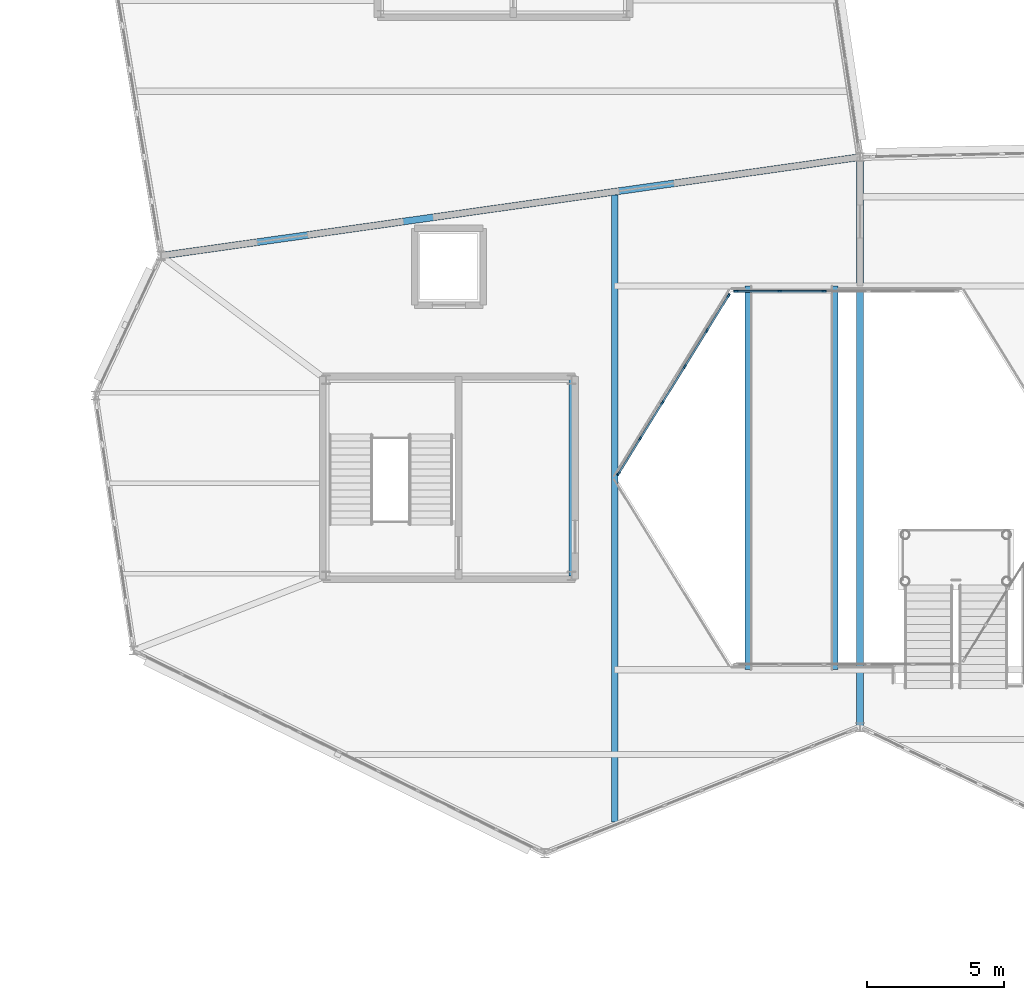
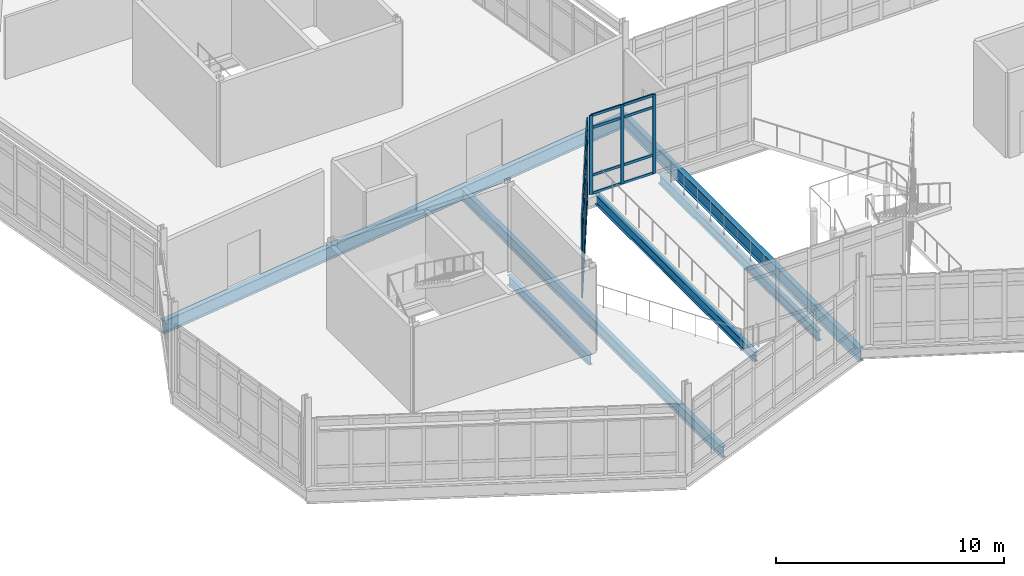
# One storey, part 23 of 76: 37 members, 6 beams, 2 elements without a shape of their own.
"""IFC4 building model written with IfcOpenShell, lengths in metres."""

from ifc_helpers import new_model, si_unit, direction, frame, origin, origin_2d, place, context, subcontext, project, spatial, rectangle, i_section, extrude, material, material_profile, profile_set, type_object, element, aggregate, save


model = new_model("IFC4")

# Units and contexts
model_context = context("Model", 3, precision=1e-05, world=origin(), true_north=direction((0.0, 1.0)))
body_context = subcontext(model_context, "Body", "Model", "MODEL_VIEW")
ifc_project = project(units=[si_unit("LENGTHUNIT", "METRE"), si_unit("AREAUNIT", "SQUARE_METRE"), si_unit("VOLUMEUNIT", "CUBIC_METRE"), si_unit("PLANEANGLEUNIT", "RADIAN"), si_unit("MASSUNIT", "GRAM", prefix="KILO")], contexts=[model_context])

# Site, building, storey
site_placement = place(None, origin())
site = spatial("IfcSite", under=ifc_project, at=site_placement, CompositionType="ELEMENT")
building_placement = place(site_placement, origin())
building = spatial("IfcBuilding", under=site, at=building_placement, Name="Tameran Prism Museum", CompositionType="ELEMENT")
storey_placement = place(building_placement, frame((0.0, 0.0, 15.0)))
storey = spatial("IfcBuildingStorey", under=building, at=storey_placement, Name="L03", CompositionType="ELEMENT", Elevation=15.0)

# Beams
ifc_material_1 = material(Name="Steel Grade 300PLUS (300 MPa)", Category="steel")
ifc_material_profile_1 = material_profile(ifc_material_1, i_section(OverallWidth=0.208984375, OverallDepth=0.532958984375, WebThickness=0.01025390625, FlangeThickness=0.015625, FilletRadius=0.013916015625, at=origin_2d()))
ifc_profile_set_1 = profile_set([ifc_material_profile_1])
beam_type_1 = type_object("IfcBeamType", Name="BM-SP530A", PredefinedType="SPANDREL", material=ifc_profile_set_1)
for number, where, z_axis, x_axis, name in (
    (1, (73.39990234375, 29.5, -0.5), (0.0, 1.0, 0.0), (-1.0, 0.0, 0.0), "Atrium Bridge Girder BG-1454"),
    (2, (76.60009765625, 29.5, -0.5), (0.0, 1.0, 0.0), (-1.0, 0.0, 0.0), "Atrium Bridge Girder BG-1455"),
):
    element("IfcBeam", number, at=place(storey_placement, frame(where, z_axis=z_axis, x_axis=x_axis)), inside=storey, type_object=beam_type_1, Name=name, PredefinedType="SPANDREL", context=body_context, shape_type="SweptSolid", body=[
        extrude(i_section(OverallWidth=0.208984375, OverallDepth=0.532958984375, WebThickness=0.01025390625, FlangeThickness=0.015625, FilletRadius=0.013916015625, at=origin_2d()), origin(), (0.0, 0.0, 1.0), 14.0),
    ])
ifc_material_2 = material(Name="Steel Grade 300PLUS (300 MPa)", Category="steel")
ifc_material_profile_2 = material_profile(ifc_material_2, i_section(OverallWidth=0.208984375, OverallDepth=0.528076171875, WebThickness=0.009521484375, FlangeThickness=0.01318359375, FilletRadius=0.013916015625, at=origin_2d()))
ifc_profile_set_2 = profile_set([ifc_material_profile_2])
beam_type_2 = type_object("IfcBeamType", Name="BM-SP530B", PredefinedType="SPANDREL", material=ifc_profile_set_2)
beam_1_placement = place(storey_placement, frame((66.97998046875, 32.919921875, -0.50390625), z_axis=(0.0, 1.0, 0.0), x_axis=(-1.0, 0.0, 0.0)))
element("IfcBeam", 3, at=beam_1_placement, inside=storey, type_object=beam_type_2, Name="Core Ring Beam CTB-1027", PredefinedType="SPANDREL", context=body_context, shape_type="SweptSolid", body=[
    extrude(i_section(OverallWidth=0.208984375, OverallDepth=0.528076171875, WebThickness=0.009521484375, FlangeThickness=0.01318359375, FilletRadius=0.013916015625, at=origin_2d()), origin(), (0.0, 0.0, 1.0), 7.16015625),
])
ifc_material_3 = material(Name="Steel Grade 350 (350 MPa)", Category="steel")
ifc_material_profile_3 = material_profile(ifc_material_3, i_section(OverallWidth=0.25, OverallDepth=0.699951171875, WebThickness=0.010009765625, FlangeThickness=0.02001953125, at=origin_2d()))
ifc_profile_set_3 = profile_set([ifc_material_profile_3])
beam_type_3 = type_object("IfcBeamType", Name="BM-SP700", PredefinedType="SPANDREL", material=ifc_profile_set_3)
beam_2_placement = place(storey_placement, frame((77.5, 27.39990234375, -0.550048828125), z_axis=(0.0, 1.0, 0.0), x_axis=(-1.0, 0.0, 0.0)))
element("IfcBeam", 4, at=beam_2_placement, inside=storey, type_object=beam_type_3, Name="Perimeter Spandrel SP-0958", PredefinedType="SPANDREL", context=body_context, shape_type="SweptSolid", body=[
    extrude(i_section(OverallWidth=0.25, OverallDepth=0.699951171875, WebThickness=0.010009765625, FlangeThickness=0.02001953125, at=origin_2d()), origin(), (0.0, 0.0, 1.0), 20.800048828125),
])
beam_3_placement = place(storey_placement, frame((77.5, 48.199951171875, -0.550048828125), z_axis=(-0.990181921375, -0.139784700815, 0.0), x_axis=(0.139784700815, -0.990181921375, 0.0)))
element("IfcBeam", 5, at=beam_3_placement, inside=storey, type_object=beam_type_3, Name="Perimeter Spandrel SP-0959", PredefinedType="SPANDREL", context=body_context, shape_type="SweptSolid", body=[
    extrude(i_section(OverallWidth=0.25, OverallDepth=0.699951171875, WebThickness=0.010009765625, FlangeThickness=0.02001953125, at=origin_2d()), origin(), (0.0, 0.0, 1.0), 25.7529296875),
])
ifc_material_4 = material(Name="Steel Grade 300PLUS (300 MPa)", Category="steel")
ifc_material_profile_4 = material_profile(ifc_material_4, i_section(OverallWidth=0.22900390625, OverallDepth=0.612060546875, WebThickness=0.011962890625, FlangeThickness=0.01953125, FilletRadius=0.013916015625, at=origin_2d()))
ifc_profile_set_4 = profile_set([ifc_material_profile_4])
beam_type_4 = type_object("IfcBeamType", Name="BM-UB610A", PredefinedType="BEAM", material=ifc_profile_set_4)
beam_4_placement = place(storey_placement, frame((68.550048828125, 23.93798828125, -0.5458984375), z_axis=(0.0, 1.0, 0.0), x_axis=(-1.0, 0.0, 0.0)))
element("IfcBeam", 6, at=beam_4_placement, inside=storey, type_object=beam_type_4, Name="Atrium Opening Trimmer Girder AT-1048", PredefinedType="BEAM", context=body_context, shape_type="SweptSolid", body=[
    extrude(i_section(OverallWidth=0.22900390625, OverallDepth=0.612060546875, WebThickness=0.011962890625, FlangeThickness=0.01953125, FilletRadius=0.013916015625, at=origin_2d()), origin(), (0.0, 0.0, 1.0), 22.886962890625),
])

# Curtain wall, members
ifc_material_5 = material(Name="Anodised Aluminium 6063-T6 and Cyclone Solar Glass", Category="aluminium")
curtain_wall_type_1 = type_object("IfcCurtainWallType", Name="CW-ATR-810x424", PredefinedType="USERDEFINED", material=ifc_material_5)
curtain_wall_1_placement = place(storey_placement, origin())
curtain_wall_1 = element("IfcCurtainWall", 7, at=curtain_wall_1_placement, inside=storey, type_object=curtain_wall_type_1, Name="Unitised Curtain Wall CW-013", ObjectType="UNITISED CURTAIN WALL", PredefinedType="USERDEFINED")
ifc_material_6 = material(Name="Anodised Aluminium Alloy 6063-T6", Category="aluminium")
ifc_material_profile_5 = material_profile(ifc_material_6, rectangle(XDim=0.06494140625, YDim=0.159912109375, at=origin_2d()))
ifc_profile_set_5 = profile_set([ifc_material_profile_5])
member_type_1 = type_object("IfcMemberType", Name="CW-MUL-A", PredefinedType="MULLION", material=ifc_profile_set_5)
member_1_placement = place(storey_placement, frame((76.18994140625, 43.300048828125, 0.0), z_axis=(0.0, 0.0, 1.0), x_axis=(0.0, -1.0, 0.0)))
member_1 = element("IfcMember", 8, at=member_1_placement, type_object=member_type_1, Name="CW-013 mullion 4", PredefinedType="MULLION", context=body_context, shape_type="SweptSolid", body=[
    extrude(rectangle(XDim=0.06494140625, YDim=0.159912109375, at=origin_2d()), origin(), (0.0, 0.0, 1.0), 4.239990234375),
])
member_2_placement = place(storey_placement, frame((74.570068359375, 43.300048828125, 0.0), z_axis=(0.0, 0.0, 1.0), x_axis=(0.0, -1.0, 0.0)))
member_2 = element("IfcMember", 9, at=member_2_placement, type_object=member_type_1, Name="CW-013 mullion 5", PredefinedType="MULLION", context=body_context, shape_type="SweptSolid", body=[
    extrude(rectangle(XDim=0.06494140625, YDim=0.159912109375, at=origin_2d()), origin(), (0.0, 0.0, 1.0), 4.239990234375),
])
member_3_placement = place(storey_placement, frame((72.982421875, 43.300048828125, 0.0), z_axis=(0.0, 0.0, 1.0), x_axis=(0.0, -1.0, 0.0)))
member_3 = element("IfcMember", 10, at=member_3_placement, type_object=member_type_1, Name="CW-013 mullion 6", PredefinedType="MULLION", context=body_context, shape_type="SweptSolid", body=[
    extrude(rectangle(XDim=0.06494140625, YDim=0.159912109375, at=origin_2d()), origin(), (0.0, 0.0, 1.0), 4.239990234375),
])

ifc_material_7 = material(Name="Anodised Aluminium 6063-T6 and Cyclone Solar Glass", Category="aluminium")
curtain_wall_type_2 = type_object("IfcCurtainWallType", Name="CW-ATR-769x424", PredefinedType="USERDEFINED", material=ifc_material_7)
curtain_wall_2_placement = place(storey_placement, origin())
curtain_wall_2 = element("IfcCurtainWall", 11, at=curtain_wall_2_placement, inside=storey, type_object=curtain_wall_type_2, Name="Unitised Curtain Wall CW-014", ObjectType="UNITISED CURTAIN WALL", PredefinedType="USERDEFINED")
member_4_placement = place(storey_placement, frame((72.703857421875, 43.144287109375, 0.0), z_axis=(0.0, 0.0, 1.0), x_axis=(0.850791158897, -0.525503952357, 0.0)))
member_4 = element("IfcMember", 12, at=member_4_placement, type_object=member_type_1, Name="CW-014 mullion 1", PredefinedType="MULLION", context=body_context, shape_type="SweptSolid", body=[
    extrude(rectangle(XDim=0.06494140625, YDim=0.159912109375, at=origin_2d()), origin(), (0.0, 0.0, 1.0), 4.239990234375),
])
member_5_placement = place(storey_placement, frame((71.91259765625, 41.86328125, 0.0), z_axis=(0.0, 0.0, 1.0), x_axis=(0.850791158897, -0.525503952357, 0.0)))
member_5 = element("IfcMember", 13, at=member_5_placement, type_object=member_type_1, Name="CW-014 mullion 2", PredefinedType="MULLION", context=body_context, shape_type="SweptSolid", body=[
    extrude(rectangle(XDim=0.06494140625, YDim=0.159912109375, at=origin_2d()), origin(), (0.0, 0.0, 1.0), 4.239990234375),
])
member_6_placement = place(storey_placement, frame((71.104248046875, 40.554443359375, 0.0), z_axis=(0.0, 0.0, 1.0), x_axis=(0.850791158897, -0.525503952357, 0.0)))
member_6 = element("IfcMember", 14, at=member_6_placement, type_object=member_type_1, Name="CW-014 mullion 3", PredefinedType="MULLION", context=body_context, shape_type="SweptSolid", body=[
    extrude(rectangle(XDim=0.06494140625, YDim=0.159912109375, at=origin_2d()), origin(), (0.0, 0.0, 1.0), 4.239990234375),
])
member_7_placement = place(storey_placement, frame((70.2958984375, 39.24560546875, 0.0), z_axis=(0.0, 0.0, 1.0), x_axis=(0.850791158897, -0.525503952357, 0.0)))
member_7 = element("IfcMember", 15, at=member_7_placement, type_object=member_type_1, Name="CW-014 mullion 4", PredefinedType="MULLION", context=body_context, shape_type="SweptSolid", body=[
    extrude(rectangle(XDim=0.06494140625, YDim=0.159912109375, at=origin_2d()), origin(), (0.0, 0.0, 1.0), 4.239990234375),
])
member_8_placement = place(storey_placement, frame((69.4873046875, 37.936767578125, 0.0), z_axis=(0.0, 0.0, 1.0), x_axis=(0.850791158897, -0.525503952357, 0.0)))
member_8 = element("IfcMember", 16, at=member_8_placement, type_object=member_type_1, Name="CW-014 mullion 5", PredefinedType="MULLION", context=body_context, shape_type="SweptSolid", body=[
    extrude(rectangle(XDim=0.06494140625, YDim=0.159912109375, at=origin_2d()), origin(), (0.0, 0.0, 1.0), 4.239990234375),
])
member_9_placement = place(storey_placement, frame((68.696044921875, 36.65576171875, 0.0), z_axis=(0.0, 0.0, 1.0), x_axis=(0.850791158897, -0.525503952357, 0.0)))
member_9 = element("IfcMember", 17, at=member_9_placement, type_object=member_type_1, Name="CW-014 mullion 6", PredefinedType="MULLION", context=body_context, shape_type="SweptSolid", body=[
    extrude(rectangle(XDim=0.06494140625, YDim=0.159912109375, at=origin_2d()), origin(), (0.0, 0.0, 1.0), 4.239990234375),
])

# Member
ifc_material_8 = material(Name="Anodised Aluminium Alloy 6063-T6", Category="aluminium")
ifc_material_profile_6 = material_profile(ifc_material_8, rectangle(XDim=0.06494140625, YDim=0.139892578125, at=origin_2d()))
ifc_profile_set_6 = profile_set([ifc_material_profile_6])
member_type_2 = type_object("IfcMemberType", Name="CW-TRN-A", PredefinedType="USERDEFINED", material=ifc_profile_set_6)
member_10_placement = place(storey_placement, frame((76.157470703125, 43.300048828125, 0.032470703125), z_axis=(-1.0, 0.0, 0.0), x_axis=(0.0, -1.0, 0.0)))
member_10 = element("IfcMember", 18, at=member_10_placement, type_object=member_type_2, Name="CW-013 transom 4.1", ObjectType="TRANSOM", PredefinedType="USERDEFINED", context=body_context, shape_type="SweptSolid", body=[
    extrude(rectangle(XDim=0.06494140625, YDim=0.139892578125, at=origin_2d()), origin(), (0.0, 0.0, 1.0), 1.554931640625),
])

member_11_placement = place(storey_placement, frame((76.157470703125, 43.300048828125, 1.0), z_axis=(-1.0, 0.0, 0.0), x_axis=(0.0, -1.0, 0.0)))
member_11 = element("IfcMember", 19, at=member_11_placement, type_object=member_type_2, Name="CW-013 transom 4.2", ObjectType="TRANSOM", PredefinedType="USERDEFINED", context=body_context, shape_type="SweptSolid", body=[
    extrude(rectangle(XDim=0.06494140625, YDim=0.139892578125, at=origin_2d()), origin(), (0.0, 0.0, 1.0), 1.554931640625),
])

member_12_placement = place(storey_placement, frame((76.157470703125, 43.300048828125, 3.56005859375), z_axis=(-1.0, 0.0, 0.0), x_axis=(0.0, -1.0, 0.0)))
member_12 = element("IfcMember", 20, at=member_12_placement, type_object=member_type_2, Name="CW-013 transom 4.3", ObjectType="TRANSOM", PredefinedType="USERDEFINED", context=body_context, shape_type="SweptSolid", body=[
    extrude(rectangle(XDim=0.06494140625, YDim=0.139892578125, at=origin_2d()), origin(), (0.0, 0.0, 1.0), 1.554931640625),
])

member_13_placement = place(storey_placement, frame((76.157470703125, 43.300048828125, 4.20751953125), z_axis=(-1.0, 0.0, 0.0), x_axis=(0.0, -1.0, 0.0)))
member_13 = element("IfcMember", 21, at=member_13_placement, type_object=member_type_2, Name="CW-013 transom 4.4", ObjectType="TRANSOM", PredefinedType="USERDEFINED", context=body_context, shape_type="SweptSolid", body=[
    extrude(rectangle(XDim=0.06494140625, YDim=0.139892578125, at=origin_2d()), origin(), (0.0, 0.0, 1.0), 1.554931640625),
])

member_14_placement = place(storey_placement, frame((74.53759765625, 43.300048828125, 0.032470703125), z_axis=(-1.0, 0.0, 0.0), x_axis=(0.0, -1.0, 0.0)))
member_14 = element("IfcMember", 22, at=member_14_placement, type_object=member_type_2, Name="CW-013 transom 5.1", ObjectType="TRANSOM", PredefinedType="USERDEFINED", context=body_context, shape_type="SweptSolid", body=[
    extrude(rectangle(XDim=0.06494140625, YDim=0.139892578125, at=origin_2d()), origin(), (0.0, 0.0, 1.0), 1.522705078125),
])

member_15_placement = place(storey_placement, frame((74.53759765625, 43.300048828125, 1.0), z_axis=(-1.0, 0.0, 0.0), x_axis=(0.0, -1.0, 0.0)))
member_15 = element("IfcMember", 23, at=member_15_placement, type_object=member_type_2, Name="CW-013 transom 5.2", ObjectType="TRANSOM", PredefinedType="USERDEFINED", context=body_context, shape_type="SweptSolid", body=[
    extrude(rectangle(XDim=0.06494140625, YDim=0.139892578125, at=origin_2d()), origin(), (0.0, 0.0, 1.0), 1.522705078125),
])

member_16_placement = place(storey_placement, frame((74.53759765625, 43.300048828125, 3.56005859375), z_axis=(-1.0, 0.0, 0.0), x_axis=(0.0, -1.0, 0.0)))
member_16 = element("IfcMember", 24, at=member_16_placement, type_object=member_type_2, Name="CW-013 transom 5.3", ObjectType="TRANSOM", PredefinedType="USERDEFINED", context=body_context, shape_type="SweptSolid", body=[
    extrude(rectangle(XDim=0.06494140625, YDim=0.139892578125, at=origin_2d()), origin(), (0.0, 0.0, 1.0), 1.522705078125),
])

member_17_placement = place(storey_placement, frame((74.53759765625, 43.300048828125, 4.20751953125), z_axis=(-1.0, 0.0, 0.0), x_axis=(0.0, -1.0, 0.0)))
member_17 = element("IfcMember", 25, at=member_17_placement, type_object=member_type_2, Name="CW-013 transom 5.4", ObjectType="TRANSOM", PredefinedType="USERDEFINED", context=body_context, shape_type="SweptSolid", body=[
    extrude(rectangle(XDim=0.06494140625, YDim=0.139892578125, at=origin_2d()), origin(), (0.0, 0.0, 1.0), 1.522705078125),
])

aggregate(curtain_wall_1, [member_1, member_2, member_3, member_10, member_11, member_12, member_13, member_14, member_15, member_16, member_17])

member_18_placement = place(storey_placement, frame((72.686767578125, 43.11669921875, 0.032470703125), z_axis=(-0.525467627301, -0.850813594543, 0.0), x_axis=(0.850813594543, -0.525467627301, 0.0)))
member_18 = element("IfcMember", 26, at=member_18_placement, type_object=member_type_2, Name="CW-014 transom 1.1", ObjectType="TRANSOM", PredefinedType="USERDEFINED", context=body_context, shape_type="SweptSolid", body=[
    extrude(rectangle(XDim=0.06494140625, YDim=0.139892578125, at=origin_2d()), origin(), (0.0, 0.0, 1.0), 1.440673828125),
])

member_19_placement = place(storey_placement, frame((72.686767578125, 43.11669921875, 1.0), z_axis=(-0.525467627301, -0.850813594543, 0.0), x_axis=(0.850813594543, -0.525467627301, 0.0)))
member_19 = element("IfcMember", 27, at=member_19_placement, type_object=member_type_2, Name="CW-014 transom 1.2", ObjectType="TRANSOM", PredefinedType="USERDEFINED", context=body_context, shape_type="SweptSolid", body=[
    extrude(rectangle(XDim=0.06494140625, YDim=0.139892578125, at=origin_2d()), origin(), (0.0, 0.0, 1.0), 1.440673828125),
])

member_20_placement = place(storey_placement, frame((72.686767578125, 43.11669921875, 3.56005859375), z_axis=(-0.525467627301, -0.850813594543, 0.0), x_axis=(0.850813594543, -0.525467627301, 0.0)))
member_20 = element("IfcMember", 28, at=member_20_placement, type_object=member_type_2, Name="CW-014 transom 1.3", ObjectType="TRANSOM", PredefinedType="USERDEFINED", context=body_context, shape_type="SweptSolid", body=[
    extrude(rectangle(XDim=0.06494140625, YDim=0.139892578125, at=origin_2d()), origin(), (0.0, 0.0, 1.0), 1.440673828125),
])

member_21_placement = place(storey_placement, frame((72.686767578125, 43.11669921875, 4.20751953125), z_axis=(-0.525467627301, -0.850813594543, 0.0), x_axis=(0.850813594543, -0.525467627301, 0.0)))
member_21 = element("IfcMember", 29, at=member_21_placement, type_object=member_type_2, Name="CW-014 transom 1.4", ObjectType="TRANSOM", PredefinedType="USERDEFINED", context=body_context, shape_type="SweptSolid", body=[
    extrude(rectangle(XDim=0.06494140625, YDim=0.139892578125, at=origin_2d()), origin(), (0.0, 0.0, 1.0), 1.440673828125),
])

member_22_placement = place(storey_placement, frame((71.8955078125, 41.83544921875, 0.032470703125), z_axis=(-0.525492880722, -0.850797997359, 0.0), x_axis=(0.850797997359, -0.525492880722, 0.0)))
member_22 = element("IfcMember", 30, at=member_22_placement, type_object=member_type_2, Name="CW-014 transom 2.1", ObjectType="TRANSOM", PredefinedType="USERDEFINED", context=body_context, shape_type="SweptSolid", body=[
    extrude(rectangle(XDim=0.06494140625, YDim=0.139892578125, at=origin_2d()), origin(), (0.0, 0.0, 1.0), 1.47314453125),
])

member_23_placement = place(storey_placement, frame((71.8955078125, 41.83544921875, 1.0), z_axis=(-0.525492880722, -0.850797997359, 0.0), x_axis=(0.850797997359, -0.525492880722, 0.0)))
member_23 = element("IfcMember", 31, at=member_23_placement, type_object=member_type_2, Name="CW-014 transom 2.2", ObjectType="TRANSOM", PredefinedType="USERDEFINED", context=body_context, shape_type="SweptSolid", body=[
    extrude(rectangle(XDim=0.06494140625, YDim=0.139892578125, at=origin_2d()), origin(), (0.0, 0.0, 1.0), 1.47314453125),
])

member_24_placement = place(storey_placement, frame((71.8955078125, 41.83544921875, 3.56005859375), z_axis=(-0.525492880722, -0.850797997359, 0.0), x_axis=(0.850797997359, -0.525492880722, 0.0)))
member_24 = element("IfcMember", 32, at=member_24_placement, type_object=member_type_2, Name="CW-014 transom 2.3", ObjectType="TRANSOM", PredefinedType="USERDEFINED", context=body_context, shape_type="SweptSolid", body=[
    extrude(rectangle(XDim=0.06494140625, YDim=0.139892578125, at=origin_2d()), origin(), (0.0, 0.0, 1.0), 1.47314453125),
])

member_25_placement = place(storey_placement, frame((71.8955078125, 41.83544921875, 4.20751953125), z_axis=(-0.525492880722, -0.850797997359, 0.0), x_axis=(0.850797997359, -0.525492880722, 0.0)))
member_25 = element("IfcMember", 33, at=member_25_placement, type_object=member_type_2, Name="CW-014 transom 2.4", ObjectType="TRANSOM", PredefinedType="USERDEFINED", context=body_context, shape_type="SweptSolid", body=[
    extrude(rectangle(XDim=0.06494140625, YDim=0.139892578125, at=origin_2d()), origin(), (0.0, 0.0, 1.0), 1.47314453125),
])

member_26_placement = place(storey_placement, frame((71.087158203125, 40.52685546875, 0.032470703125), z_axis=(-0.525418798442, -0.850843749606, 0.0), x_axis=(0.850843749606, -0.525418798442, 0.0)))
member_26 = element("IfcMember", 34, at=member_26_placement, type_object=member_type_2, Name="CW-014 transom 3.1", ObjectType="TRANSOM", PredefinedType="USERDEFINED", context=body_context, shape_type="SweptSolid", body=[
    extrude(rectangle(XDim=0.06494140625, YDim=0.139892578125, at=origin_2d()), origin(), (0.0, 0.0, 1.0), 1.473388671875),
])

member_27_placement = place(storey_placement, frame((71.087158203125, 40.52685546875, 1.0), z_axis=(-0.525418798442, -0.850843749606, 0.0), x_axis=(0.850843749606, -0.525418798442, 0.0)))
member_27 = element("IfcMember", 35, at=member_27_placement, type_object=member_type_2, Name="CW-014 transom 3.2", ObjectType="TRANSOM", PredefinedType="USERDEFINED", context=body_context, shape_type="SweptSolid", body=[
    extrude(rectangle(XDim=0.06494140625, YDim=0.139892578125, at=origin_2d()), origin(), (0.0, 0.0, 1.0), 1.473388671875),
])

member_28_placement = place(storey_placement, frame((71.087158203125, 40.52685546875, 3.56005859375), z_axis=(-0.525418798442, -0.850843749606, 0.0), x_axis=(0.850843749606, -0.525418798442, 0.0)))
member_28 = element("IfcMember", 36, at=member_28_placement, type_object=member_type_2, Name="CW-014 transom 3.3", ObjectType="TRANSOM", PredefinedType="USERDEFINED", context=body_context, shape_type="SweptSolid", body=[
    extrude(rectangle(XDim=0.06494140625, YDim=0.139892578125, at=origin_2d()), origin(), (0.0, 0.0, 1.0), 1.473388671875),
])

member_29_placement = place(storey_placement, frame((71.087158203125, 40.52685546875, 4.20751953125), z_axis=(-0.525418798442, -0.850843749606, 0.0), x_axis=(0.850843749606, -0.525418798442, 0.0)))
member_29 = element("IfcMember", 37, at=member_29_placement, type_object=member_type_2, Name="CW-014 transom 3.4", ObjectType="TRANSOM", PredefinedType="USERDEFINED", context=body_context, shape_type="SweptSolid", body=[
    extrude(rectangle(XDim=0.06494140625, YDim=0.139892578125, at=origin_2d()), origin(), (0.0, 0.0, 1.0), 1.473388671875),
])

member_30_placement = place(storey_placement, frame((70.27880859375, 39.218017578125, 0.032470703125), z_axis=(-0.525538735192, -0.850769673774, 0.0), x_axis=(0.850769673774, -0.525538735192, 0.0)))
member_30 = element("IfcMember", 38, at=member_30_placement, type_object=member_type_2, Name="CW-014 transom 4.1", ObjectType="TRANSOM", PredefinedType="USERDEFINED", context=body_context, shape_type="SweptSolid", body=[
    extrude(rectangle(XDim=0.06494140625, YDim=0.139892578125, at=origin_2d()), origin(), (0.0, 0.0, 1.0), 1.4736328125),
])

member_31_placement = place(storey_placement, frame((70.27880859375, 39.218017578125, 1.0), z_axis=(-0.525538735192, -0.850769673774, 0.0), x_axis=(0.850769673774, -0.525538735192, 0.0)))
member_31 = element("IfcMember", 39, at=member_31_placement, type_object=member_type_2, Name="CW-014 transom 4.2", ObjectType="TRANSOM", PredefinedType="USERDEFINED", context=body_context, shape_type="SweptSolid", body=[
    extrude(rectangle(XDim=0.06494140625, YDim=0.139892578125, at=origin_2d()), origin(), (0.0, 0.0, 1.0), 1.4736328125),
])

member_32_placement = place(storey_placement, frame((70.27880859375, 39.218017578125, 3.56005859375), z_axis=(-0.525538735192, -0.850769673774, 0.0), x_axis=(0.850769673774, -0.525538735192, 0.0)))
member_32 = element("IfcMember", 40, at=member_32_placement, type_object=member_type_2, Name="CW-014 transom 4.3", ObjectType="TRANSOM", PredefinedType="USERDEFINED", context=body_context, shape_type="SweptSolid", body=[
    extrude(rectangle(XDim=0.06494140625, YDim=0.139892578125, at=origin_2d()), origin(), (0.0, 0.0, 1.0), 1.4736328125),
])

member_33_placement = place(storey_placement, frame((70.27880859375, 39.218017578125, 4.20751953125), z_axis=(-0.525538735192, -0.850769673774, 0.0), x_axis=(0.850769673774, -0.525538735192, 0.0)))
member_33 = element("IfcMember", 41, at=member_33_placement, type_object=member_type_2, Name="CW-014 transom 4.4", ObjectType="TRANSOM", PredefinedType="USERDEFINED", context=body_context, shape_type="SweptSolid", body=[
    extrude(rectangle(XDim=0.06494140625, YDim=0.139892578125, at=origin_2d()), origin(), (0.0, 0.0, 1.0), 1.4736328125),
])

member_34_placement = place(storey_placement, frame((69.47021484375, 37.9091796875, 0.032470703125), z_axis=(-0.525467627301, -0.850813594543, 0.0), x_axis=(0.850813594543, -0.525467627301, 0.0)))
member_34 = element("IfcMember", 42, at=member_34_placement, type_object=member_type_2, Name="CW-014 transom 5.1", ObjectType="TRANSOM", PredefinedType="USERDEFINED", context=body_context, shape_type="SweptSolid", body=[
    extrude(rectangle(XDim=0.06494140625, YDim=0.139892578125, at=origin_2d()), origin(), (0.0, 0.0, 1.0), 1.440673828125),
])

member_35_placement = place(storey_placement, frame((69.47021484375, 37.9091796875, 1.0), z_axis=(-0.525467627301, -0.850813594543, 0.0), x_axis=(0.850813594543, -0.525467627301, 0.0)))
member_35 = element("IfcMember", 43, at=member_35_placement, type_object=member_type_2, Name="CW-014 transom 5.2", ObjectType="TRANSOM", PredefinedType="USERDEFINED", context=body_context, shape_type="SweptSolid", body=[
    extrude(rectangle(XDim=0.06494140625, YDim=0.139892578125, at=origin_2d()), origin(), (0.0, 0.0, 1.0), 1.440673828125),
])

member_36_placement = place(storey_placement, frame((69.47021484375, 37.9091796875, 3.56005859375), z_axis=(-0.525467627301, -0.850813594543, 0.0), x_axis=(0.850813594543, -0.525467627301, 0.0)))
member_36 = element("IfcMember", 44, at=member_36_placement, type_object=member_type_2, Name="CW-014 transom 5.3", ObjectType="TRANSOM", PredefinedType="USERDEFINED", context=body_context, shape_type="SweptSolid", body=[
    extrude(rectangle(XDim=0.06494140625, YDim=0.139892578125, at=origin_2d()), origin(), (0.0, 0.0, 1.0), 1.440673828125),
])

member_37_placement = place(storey_placement, frame((69.47021484375, 37.9091796875, 4.20751953125), z_axis=(-0.525467627301, -0.850813594543, 0.0), x_axis=(0.850813594543, -0.525467627301, 0.0)))
member_37 = element("IfcMember", 45, at=member_37_placement, type_object=member_type_2, Name="CW-014 transom 5.4", ObjectType="TRANSOM", PredefinedType="USERDEFINED", context=body_context, shape_type="SweptSolid", body=[
    extrude(rectangle(XDim=0.06494140625, YDim=0.139892578125, at=origin_2d()), origin(), (0.0, 0.0, 1.0), 1.440673828125),
])

aggregate(curtain_wall_2, [member_4, member_5, member_6, member_7, member_8, member_9, member_18, member_19, member_20, member_21, member_22, member_23, member_24, member_25, member_26, member_27, member_28, member_29, member_30, member_31, member_32, member_33, member_34, member_35, member_36, member_37])

save(model, "model.ifc")
